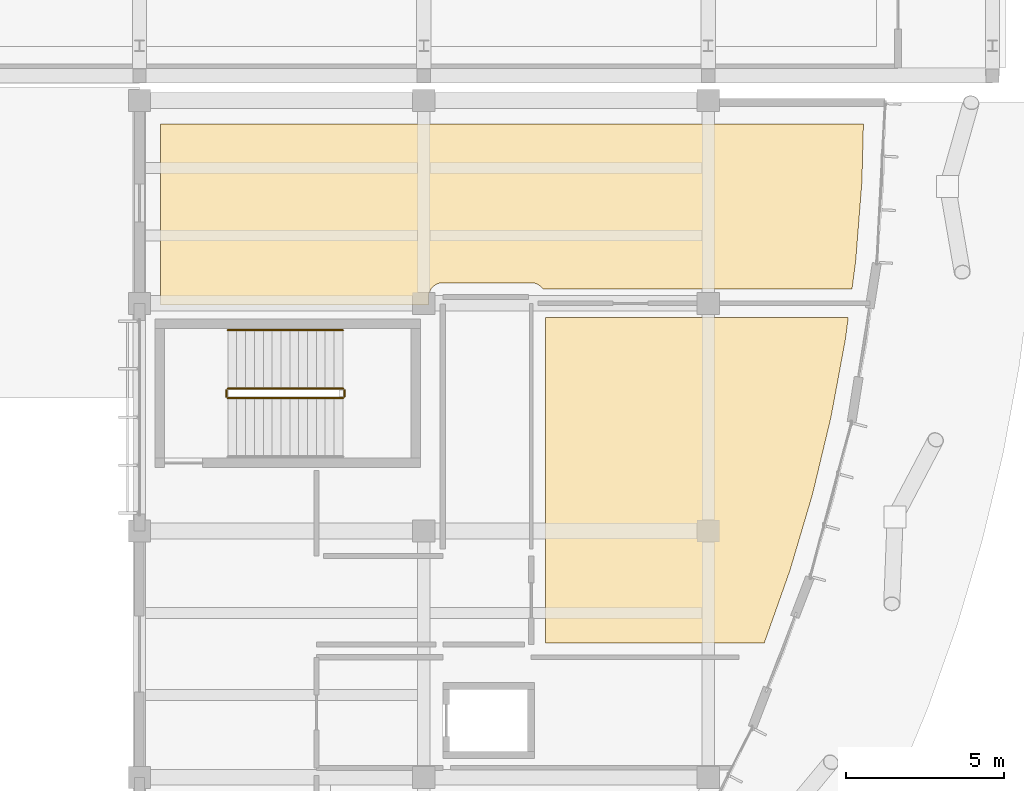
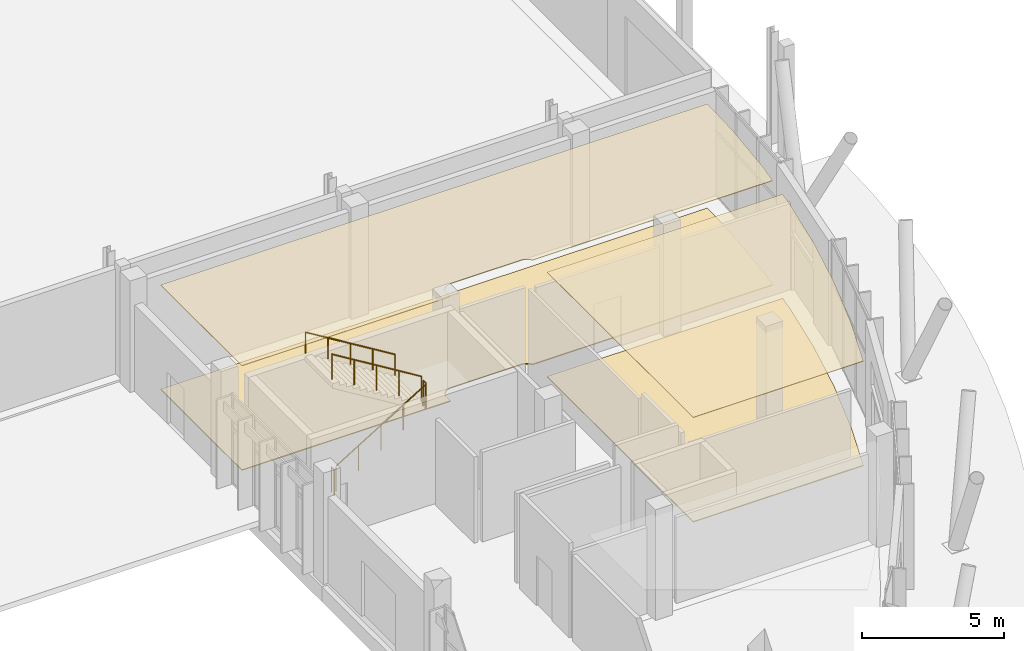
# One storey, part 147 of 151: 5 railings, 4 coverings.
"""IFC4 building model written with IfcOpenShell, lengths in metres."""

from ifc_helpers import new_model, si_unit, direction, frame, origin, origin_2d, place, context, subcontext, project, spatial, polyline, circle, outline, extrude, material, layer, layer_set, type_object, element, save


model = new_model("IFC4")

# Units and contexts
model_context = context("Model", 3, precision=1e-05, world=origin(), true_north=direction((0.0, 1.0)))
body_context = subcontext(model_context, "Body", "Model", "MODEL_VIEW")
ifc_project = project(units=[si_unit("LENGTHUNIT", "METRE"), si_unit("AREAUNIT", "SQUARE_METRE"), si_unit("VOLUMEUNIT", "CUBIC_METRE"), si_unit("PLANEANGLEUNIT", "RADIAN"), si_unit("MASSUNIT", "GRAM", prefix="KILO")], contexts=[model_context])

# Site, building, storey
site_placement = place(None, origin())
site = spatial("IfcSite", under=ifc_project, at=site_placement, CompositionType="ELEMENT")
building_placement = place(site_placement, origin())
building = spatial("IfcBuilding", under=site, at=building_placement, Name="Chiffa Square Polytechnic", CompositionType="ELEMENT")
storey_placement = place(building_placement, origin())
storey = spatial("IfcBuildingStorey", under=building, at=storey_placement, Name="L00", CompositionType="ELEMENT", Elevation=0.0)

# Coverings
ifc_material_1 = material(Name="Perforated gypsum acoustic board")
ifc_layer_1 = layer(ifc_material_1, 0.02490234375, Name="Perforated gypsum acoustic board")
ifc_layer_set_1 = layer_set([ifc_layer_1], Name="Perforated gypsum acoustic board")
covering_type_1 = type_object("IfcCoveringType", Name="COV-CEIL-GYP", PredefinedType="CEILING", material=ifc_layer_set_1)
covering_1_placement = place(storey_placement, frame((0.0, 0.0, 4.4970703125)))
element("IfcCovering", 1, at=covering_1_placement, inside=storey, type_object=covering_type_1, Name="Suspended acoustic ceiling CL-V1-L00-004", PredefinedType="CEILING", context=body_context, shape_type="SweptSolid", body=[
    extrude(outline(polyline([(161.050048828125, 40.25), (161.050048828125, 50.550048828125), (170.632080078125, 50.550048828125), (170.5400390625, 49.85205078125), (170.08203125, 47.384033203125), (169.4970703125, 44.945068359375), (168.783935546875, 42.5390625), (167.972900390625, 40.25), (161.050048828125, 40.25)])), origin(), (0.0, 0.0, 1.0), 0.02490234375),
])
covering_2_placement = place(storey_placement, frame((0.0, 0.0, 4.4970703125)))
element("IfcCovering", 2, at=covering_2_placement, inside=storey, type_object=covering_type_1, Name="Suspended acoustic ceiling CL-V1-L00-005", PredefinedType="CEILING", context=body_context, shape_type="SweptSolid", body=[
    extrude(outline(polyline([(148.8701171875, 50.949951171875), (148.8701171875, 56.679931640625), (171.112060546875, 56.679931640625), (171.06396484375, 54.841064453125), (170.866943359375, 52.340087890625), (170.75, 51.449951171875), (160.97412109375, 51.449951171875), (160.97412109375, 51.449951171875), (160.947998046875, 51.485107421875), (160.91796875, 51.51806640625), (160.885009765625, 51.548095703125), (160.85009765625, 51.573974609375), (160.81201171875, 51.596923828125), (160.77197265625, 51.615966796875), (160.73095703125, 51.631103515625), (160.68798828125, 51.64111328125), (160.64404296875, 51.64794921875), (160.60009765625, 51.64990234375), (157.800048828125, 51.64990234375), (157.756103515625, 51.64794921875), (157.7119140625, 51.64111328125), (157.6689453125, 51.631103515625), (157.6279296875, 51.615966796875), (157.587890625, 51.596923828125), (157.550048828125, 51.573974609375), (157.514892578125, 51.548095703125), (157.48193359375, 51.51806640625), (157.451904296875, 51.485107421875), (157.426025390625, 51.449951171875), (157.403076171875, 51.412109375), (157.384033203125, 51.3720703125), (157.368896484375, 51.3310546875), (157.35888671875, 51.2880859375), (157.35205078125, 51.243896484375), (157.35009765625, 51.199951171875), (157.35009765625, 50.949951171875), (148.8701171875, 50.949951171875)])), origin(), (0.0, 0.0, 1.0), 0.02490234375),
])
ifc_material_2 = material(Name="Polished cementitious terrazzo")
ifc_layer_2 = layer(ifc_material_2, 0.0400390625, Name="Polished cementitious terrazzo")
ifc_layer_set_2 = layer_set([ifc_layer_2], Name="Polished cementitious terrazzo")
covering_type_2 = type_object("IfcCoveringType", Name="COV-FLR-TERRAZZO", PredefinedType="FLOORING", material=ifc_layer_set_2)
covering_3_placement = place(storey_placement, origin())
element("IfcCovering", 3, at=covering_3_placement, inside=storey, type_object=covering_type_2, Name="Polished terrazzo floor finish FL-V1-L00-002", PredefinedType="FLOORING", context=body_context, shape_type="SweptSolid", body=[
    extrude(outline(polyline([(161.050048828125, 40.25), (161.050048828125, 50.550048828125), (170.632080078125, 50.550048828125), (170.5400390625, 49.85205078125), (170.08203125, 47.384033203125), (169.4970703125, 44.945068359375), (168.783935546875, 42.5390625), (167.972900390625, 40.25), (161.050048828125, 40.25)])), origin(), (0.0, 0.0, 1.0), 0.0400390625),
])
covering_4_placement = place(storey_placement, origin())
element("IfcCovering", 4, at=covering_4_placement, inside=storey, type_object=covering_type_2, Name="Polished terrazzo floor finish FL-V1-L00-003", PredefinedType="FLOORING", context=body_context, shape_type="SweptSolid", body=[
    extrude(outline(polyline([(148.8701171875, 50.949951171875), (148.8701171875, 56.679931640625), (171.112060546875, 56.679931640625), (171.06396484375, 54.841064453125), (170.866943359375, 52.340087890625), (170.75, 51.449951171875), (160.97412109375, 51.449951171875), (160.97412109375, 51.449951171875), (160.947998046875, 51.485107421875), (160.91796875, 51.51806640625), (160.885009765625, 51.548095703125), (160.85009765625, 51.573974609375), (160.81201171875, 51.596923828125), (160.77197265625, 51.615966796875), (160.73095703125, 51.631103515625), (160.68798828125, 51.64111328125), (160.64404296875, 51.64794921875), (160.60009765625, 51.64990234375), (157.800048828125, 51.64990234375), (157.756103515625, 51.64794921875), (157.7119140625, 51.64111328125), (157.6689453125, 51.631103515625), (157.6279296875, 51.615966796875), (157.587890625, 51.596923828125), (157.550048828125, 51.573974609375), (157.514892578125, 51.548095703125), (157.48193359375, 51.51806640625), (157.451904296875, 51.485107421875), (157.426025390625, 51.449951171875), (157.403076171875, 51.412109375), (157.384033203125, 51.3720703125), (157.368896484375, 51.3310546875), (157.35888671875, 51.2880859375), (157.35205078125, 51.243896484375), (157.35009765625, 51.199951171875), (157.35009765625, 50.949951171875), (148.8701171875, 50.949951171875)])), origin(), (0.0, 0.0, 1.0), 0.0400390625),
])

# Railings
ifc_material_3 = material(Name="Steel S355", Category="steel")
ifc_layer_3 = layer(ifc_material_3, 0.050048828125, Name="Steel S355")
ifc_layer_set_3 = layer_set([ifc_layer_3], Name="Steel S355")
railing_type_1 = type_object("IfcRailingType", Name="RL-STAIR-GUARD", PredefinedType="GUARDRAIL", material=ifc_layer_set_3)
railing_1_placement = place(storey_placement, frame((151.0, 48.0, 0.17138671875)))
element("IfcRailing", 5, at=railing_1_placement, inside=storey, type_object=railing_type_1, Name="L00 ST-V1B stair guard 1", PredefinedType="GUARDRAIL", context=body_context, shape_type="SweptSolid", body=[
    extrude(circle(Radius=0.02392578125, at=origin_2d()), frame((0.0, 0.0, 1.076171875), z_axis=(0.852850264322, 0.0, 0.5221555579), x_axis=(0.0, 1.0, 0.0)), (0.0, 0.0, 1.0), 4.267822265625),
    extrude(circle(Radius=0.02099609375, at=origin_2d()), origin(), (0.0, 0.0, 1.0), 1.052001953125),
    extrude(circle(Radius=0.02099609375, at=origin_2d()), frame((0.909912109375, 0.0, 0.55712890625)), (0.0, 0.0, 1.0), 1.052001953125),
    extrude(circle(Radius=0.02099609375, at=origin_2d()), frame((1.81982421875, 0.0, 1.1142578125)), (0.0, 0.0, 1.0), 1.052001953125),
    extrude(circle(Radius=0.02099609375, at=origin_2d()), frame((2.72998046875, 0.0, 1.67138671875)), (0.0, 0.0, 1.0), 1.052001953125),
    extrude(circle(Radius=0.02099609375, at=origin_2d()), frame((3.639892578125, 0.0, 2.228515625)), (0.0, 0.0, 1.0), 1.052001953125),
])
railing_2_placement = place(storey_placement, frame((154.68994140625, 48.050048828125, 2.39990234375)))
element("IfcRailing", 6, at=railing_2_placement, inside=storey, type_object=railing_type_1, Name="L00 ST-V1B stair guard 2", PredefinedType="GUARDRAIL", context=body_context, shape_type="SweptSolid", body=[
    extrude(circle(Radius=0.02392578125, at=origin_2d()), frame((0.0, 0.0, 1.076171875), z_axis=(0.0, 1.0, 0.0), x_axis=(-1.0, 0.0, 0.0)), (0.0, 0.0, 1.0), 0.199951171875),
    extrude(circle(Radius=0.02099609375, at=origin_2d()), origin(), (0.0, 0.0, 1.0), 1.052001953125),
    extrude(circle(Radius=0.02099609375, at=origin_2d()), frame((0.0, 0.199951171875, 0.0)), (0.0, 0.0, 1.0), 1.052001953125),
])
railing_3_placement = place(storey_placement, frame((154.639892578125, 48.300048828125, 2.571533203125)))
element("IfcRailing", 7, at=railing_3_placement, inside=storey, type_object=railing_type_1, Name="L00 ST-V1B stair guard 3", PredefinedType="GUARDRAIL", context=body_context, shape_type="SweptSolid", body=[
    extrude(circle(Radius=0.02392578125, at=origin_2d()), frame((0.0, 0.0, 1.076171875), z_axis=(-0.852850264322, 0.0, 0.5221555579), x_axis=(0.0, -1.0, 0.0)), (0.0, 0.0, 1.0), 4.267822265625),
    extrude(circle(Radius=0.02099609375, at=origin_2d()), origin(), (0.0, 0.0, 1.0), 1.052001953125),
    extrude(circle(Radius=0.02099609375, at=origin_2d()), frame((-0.909912109375, 0.0, 0.55712890625)), (0.0, 0.0, 1.0), 1.052001953125),
    extrude(circle(Radius=0.02099609375, at=origin_2d()), frame((-1.81982421875, 0.0, 1.1142578125)), (0.0, 0.0, 1.0), 1.052001953125),
    extrude(circle(Radius=0.02099609375, at=origin_2d()), frame((-2.72998046875, 0.0, 1.67138671875)), (0.0, 0.0, 1.0), 1.052001953125),
    extrude(circle(Radius=0.02099609375, at=origin_2d()), frame((-3.639892578125, 0.0, 2.228515625)), (0.0, 0.0, 1.0), 1.052001953125),
])
railing_4_placement = place(storey_placement, frame((150.949951171875, 48.050048828125, 0.0)))
element("IfcRailing", 8, at=railing_4_placement, inside=storey, type_object=railing_type_1, Name="L00 ST-V1B stair guard 4", PredefinedType="GUARDRAIL", context=body_context, shape_type="SweptSolid", body=[
    extrude(circle(Radius=0.02392578125, at=origin_2d()), frame((0.0, 0.0, 1.076171875), z_axis=(0.0, 1.0, 0.0), x_axis=(-1.0, 0.0, 0.0)), (0.0, 0.0, 1.0), 0.199951171875),
    extrude(circle(Radius=0.02099609375, at=origin_2d()), origin(), (0.0, 0.0, 1.0), 1.052001953125),
    extrude(circle(Radius=0.02099609375, at=origin_2d()), frame((0.0, 0.199951171875, 0.0)), (0.0, 0.0, 1.0), 1.052001953125),
])
ifc_layer_4 = layer(ifc_material_3, 0.044921875, Name="Steel S355")
ifc_layer_set_4 = layer_set([ifc_layer_4], Name="Steel S355")
railing_type_2 = type_object("IfcRailingType", Name="RL-STAIR-HAND", PredefinedType="HANDRAIL", material=ifc_layer_set_4)
railing_5_placement = place(storey_placement, frame((154.639892578125, 50.14990234375, 2.571533203125)))
element("IfcRailing", 9, at=railing_5_placement, inside=storey, type_object=railing_type_2, Name="L00 ST-V1B stair handrail 2", PredefinedType="HANDRAIL", context=body_context, shape_type="SweptSolid", body=[
    extrude(circle(Radius=0.02392578125, at=origin_2d()), frame((0.0, 0.0, 0.89599609375), z_axis=(-0.852850264322, 0.0, 0.5221555579), x_axis=(0.0, -1.0, 0.0)), (0.0, 0.0, 1.0), 4.267822265625),
    extrude(circle(Radius=0.02099609375, at=origin_2d()), origin(), (0.0, 0.0, 1.0), 0.871826171875),
    extrude(circle(Radius=0.02099609375, at=origin_2d()), frame((-0.909912109375, 0.0, 0.55712890625)), (0.0, 0.0, 1.0), 0.871826171875),
    extrude(circle(Radius=0.02099609375, at=origin_2d()), frame((-1.81982421875, 0.0, 1.1142578125)), (0.0, 0.0, 1.0), 0.871826171875),
    extrude(circle(Radius=0.02099609375, at=origin_2d()), frame((-2.72998046875, 0.0, 1.67138671875)), (0.0, 0.0, 1.0), 0.871826171875),
    extrude(circle(Radius=0.02099609375, at=origin_2d()), frame((-3.639892578125, 0.0, 2.228515625)), (0.0, 0.0, 1.0), 0.871826171875),
])

save(model, "model.ifc")
